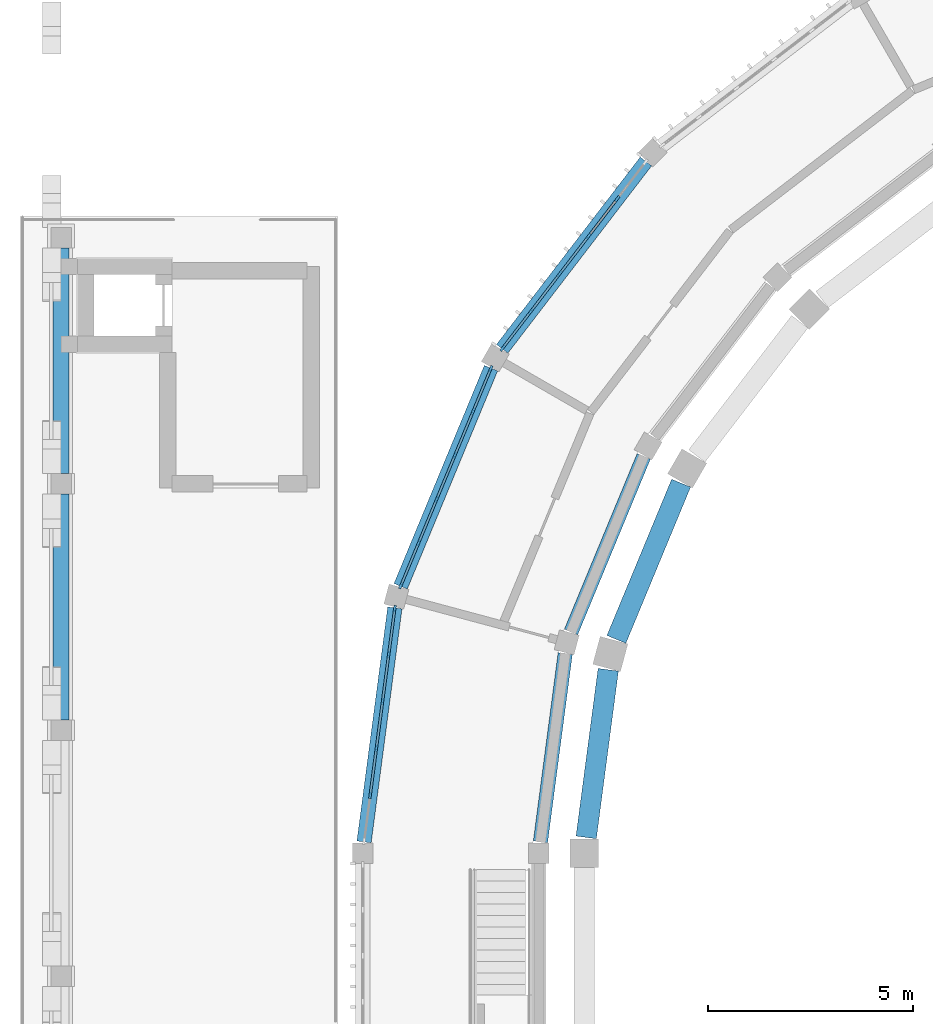
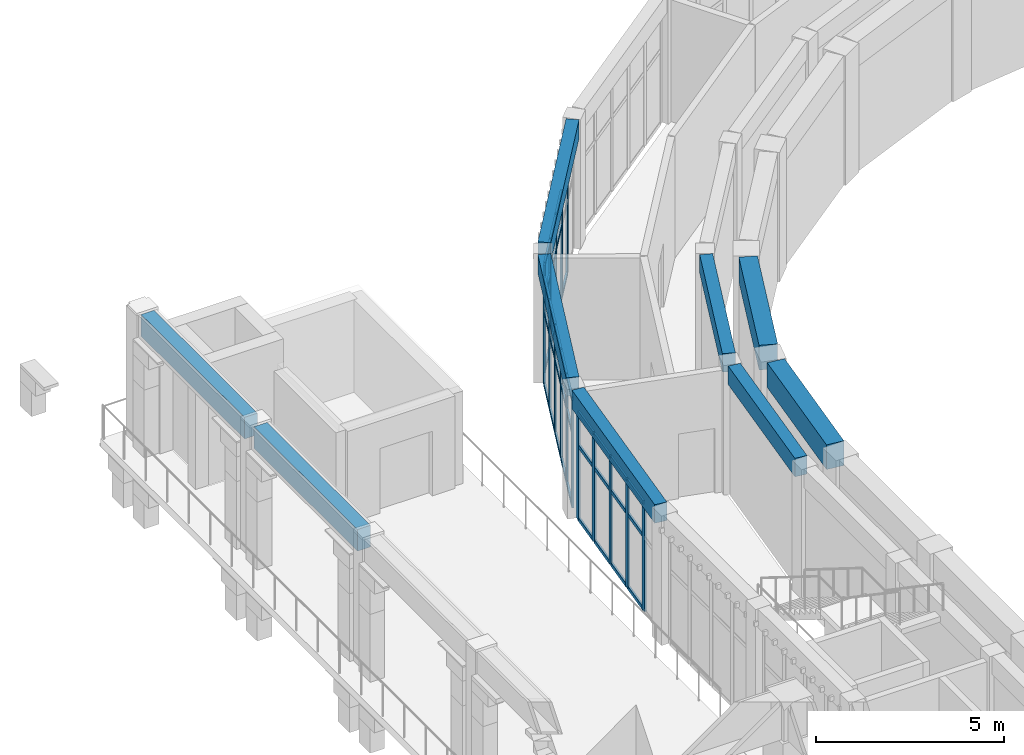
# One storey, part 18 of 99: 53 members, 9 beams, 3 elements without a shape of their own.
"""IFC4 building model written with IfcOpenShell, lengths in metres."""

from ifc_helpers import new_model, si_unit, direction, frame, origin, origin_2d, place, context, subcontext, project, spatial, rectangle, extrude, material, layer, layer_set, material_profile, profile_set, type_object, element, aggregate, save


model = new_model("IFC4")

# Units and contexts
model_context = context("Model", 3, precision=1e-05, world=origin(), true_north=direction((0.0, 1.0)))
body_context = subcontext(model_context, "Body", "Model", "MODEL_VIEW")
ifc_project = project(units=[si_unit("LENGTHUNIT", "METRE"), si_unit("AREAUNIT", "SQUARE_METRE"), si_unit("VOLUMEUNIT", "CUBIC_METRE"), si_unit("PLANEANGLEUNIT", "RADIAN"), si_unit("MASSUNIT", "GRAM", prefix="KILO")], contexts=[model_context])

# Site, building, storey
site_placement = place(None, origin())
site = spatial("IfcSite", under=ifc_project, at=site_placement, CompositionType="ELEMENT")
building_placement = place(site_placement, origin())
building = spatial("IfcBuilding", under=site, at=building_placement, Name="Wasatch Bagh Community Centre", CompositionType="ELEMENT")
storey_placement = place(building_placement, frame((0.0, 0.0, 4.199951171875)))
storey = spatial("IfcBuildingStorey", under=building, at=storey_placement, Name="L01", CompositionType="ELEMENT", Elevation=4.199951171875)

# Beams
ifc_material_1 = material(Name="Concrete C35", Category="concrete")
ifc_material_profile_1 = material_profile(ifc_material_1, rectangle(XDim=0.39990234375, YDim=0.699951171875, at=origin_2d()), Name="RC 400x700")
ifc_profile_set_1 = profile_set([ifc_material_profile_1], Name="Concrete C35")
beam_type_1 = type_object("IfcBeamType", Name="CT-B1", PredefinedType="BEAM", material=ifc_profile_set_1)
for number, where, z_axis, x_axis, name in (
    (1, (4.5, 68.25, 3.85009765625), (0.0, 1.0, 0.0), (-1.0, 0.0, 0.0), "CT-B1 terrace arcade spandrel beam 5"),
    (2, (4.5, 74.25, 3.85009765625), (0.0, 1.0, 0.0), (-1.0, 0.0, 0.0), "CT-B1 terrace arcade spandrel beam 6"),
):
    element("IfcBeam", number, at=place(storey_placement, frame(where, z_axis=z_axis, x_axis=x_axis)), inside=storey, type_object=beam_type_1, Name=name, PredefinedType="BEAM", context=body_context, shape_type="SweptSolid", body=[
        extrude(rectangle(XDim=0.39990234375, YDim=0.699951171875, at=origin_2d()), origin(), (0.0, 0.0, 1.0), 5.5),
    ])

# Curtain wall, members
ifc_material_2 = material(Name="Aluminium curtain wall frame with low-iron insulated glass", Category="aluminium")
ifc_layer = layer(ifc_material_2, 0.14990234375)
ifc_layer_set = layer_set([ifc_layer], Name="Aluminium curtain wall frame with low-iron insulated glass")
curtain_wall_type = type_object("IfcCurtainWallType", Name="Drum curtain wall DR-CW2", PredefinedType="NOTDEFINED", material=ifc_layer_set)
curtain_wall_1_placement = place(storey_placement, origin())
curtain_wall_1 = element("IfcCurtainWall", 3, at=curtain_wall_1_placement, inside=storey, type_object=curtain_wall_type, Name="Curtain wall DR-CW2 28", PredefinedType="NOTDEFINED")
ifc_material_3 = material(Name="Aluminium curtain wall frame", Category="aluminium")
ifc_material_profile_2 = material_profile(ifc_material_3, rectangle(XDim=0.06005859375, YDim=0.159912109375, at=origin_2d()), Name="Drum mullion DR-CW2")
ifc_profile_set_2 = profile_set([ifc_material_profile_2], Name="Aluminium curtain wall frame")
member_type_1 = type_object("IfcMemberType", Name="Drum mullion DR-CW2", PredefinedType="MULLION", material=ifc_profile_set_2)
member_1_placement = place(storey_placement, frame((18.059814453125, 80.951416015625, 0.0), z_axis=(0.0, 0.0, 1.0), x_axis=(0.793353340196, -0.608761429133, 0.0)))
member_1 = element("IfcMember", 4, at=member_1_placement, type_object=member_type_1, Name="DR-CW2 mullion 2", PredefinedType="MULLION", context=body_context, shape_type="SweptSolid", body=[
    extrude(rectangle(XDim=0.06005859375, YDim=0.159912109375, at=origin_2d()), origin(), (0.0, 0.0, 1.0), 3.5),
])
member_2_placement = place(storey_placement, frame((17.356201171875, 80.034423828125, 0.0), z_axis=(0.0, 0.0, 1.0), x_axis=(0.793353340196, -0.608761429133, 0.0)))
member_2 = element("IfcMember", 5, at=member_2_placement, type_object=member_type_1, Name="DR-CW2 mullion 3", PredefinedType="MULLION", context=body_context, shape_type="SweptSolid", body=[
    extrude(rectangle(XDim=0.06005859375, YDim=0.159912109375, at=origin_2d()), origin(), (0.0, 0.0, 1.0), 3.5),
])
member_3_placement = place(storey_placement, frame((16.652587890625, 79.1171875, 0.0), z_axis=(0.0, 0.0, 1.0), x_axis=(0.793353340196, -0.608761429133, 0.0)))
member_3 = element("IfcMember", 6, at=member_3_placement, type_object=member_type_1, Name="DR-CW2 mullion 4", PredefinedType="MULLION", context=body_context, shape_type="SweptSolid", body=[
    extrude(rectangle(XDim=0.06005859375, YDim=0.159912109375, at=origin_2d()), origin(), (0.0, 0.0, 1.0), 3.5),
])
member_4_placement = place(storey_placement, frame((15.948974609375, 78.2001953125, 0.0), z_axis=(0.0, 0.0, 1.0), x_axis=(0.793353340196, -0.608761429133, 0.0)))
member_4 = element("IfcMember", 7, at=member_4_placement, type_object=member_type_1, Name="DR-CW2 mullion 5", PredefinedType="MULLION", context=body_context, shape_type="SweptSolid", body=[
    extrude(rectangle(XDim=0.06005859375, YDim=0.159912109375, at=origin_2d()), origin(), (0.0, 0.0, 1.0), 3.5),
])
member_5_placement = place(storey_placement, frame((15.263671875, 77.30712890625, 0.0), z_axis=(0.0, 0.0, 1.0), x_axis=(0.793353340196, -0.608761429133, 0.0)))
member_5 = element("IfcMember", 8, at=member_5_placement, type_object=member_type_1, Name="DR-CW2 mullion 6", PredefinedType="MULLION", context=body_context, shape_type="SweptSolid", body=[
    extrude(rectangle(XDim=0.06005859375, YDim=0.159912109375, at=origin_2d()), origin(), (0.0, 0.0, 1.0), 3.5),
])

curtain_wall_2_placement = place(storey_placement, origin())
curtain_wall_2 = element("IfcCurtainWall", 9, at=curtain_wall_2_placement, inside=storey, type_object=curtain_wall_type, Name="Curtain wall DR-CW2 29", PredefinedType="NOTDEFINED")
member_6_placement = place(storey_placement, frame((14.9736328125, 76.8046875, 0.0), z_axis=(0.0, 0.0, 1.0), x_axis=(0.923879532451, -0.38268343251, 0.0)))
member_6 = element("IfcMember", 10, at=member_6_placement, type_object=member_type_1, Name="DR-CW2 mullion 1", PredefinedType="MULLION", context=body_context, shape_type="SweptSolid", body=[
    extrude(rectangle(XDim=0.06005859375, YDim=0.159912109375, at=origin_2d()), origin(), (0.0, 0.0, 1.0), 3.5),
])
member_7_placement = place(storey_placement, frame((14.542724609375, 75.7646484375, 0.0), z_axis=(0.0, 0.0, 1.0), x_axis=(0.923879532451, -0.38268343251, 0.0)))
member_7 = element("IfcMember", 11, at=member_7_placement, type_object=member_type_1, Name="DR-CW2 mullion 2", PredefinedType="MULLION", context=body_context, shape_type="SweptSolid", body=[
    extrude(rectangle(XDim=0.06005859375, YDim=0.159912109375, at=origin_2d()), origin(), (0.0, 0.0, 1.0), 3.5),
])
member_8_placement = place(storey_placement, frame((14.100341796875, 74.69677734375, 0.0), z_axis=(0.0, 0.0, 1.0), x_axis=(0.923879532451, -0.38268343251, 0.0)))
member_8 = element("IfcMember", 12, at=member_8_placement, type_object=member_type_1, Name="DR-CW2 mullion 3", PredefinedType="MULLION", context=body_context, shape_type="SweptSolid", body=[
    extrude(rectangle(XDim=0.06005859375, YDim=0.159912109375, at=origin_2d()), origin(), (0.0, 0.0, 1.0), 3.5),
])
member_9_placement = place(storey_placement, frame((13.657958984375, 73.62890625, 0.0), z_axis=(0.0, 0.0, 1.0), x_axis=(0.923879532451, -0.38268343251, 0.0)))
member_9 = element("IfcMember", 13, at=member_9_placement, type_object=member_type_1, Name="DR-CW2 mullion 4", PredefinedType="MULLION", context=body_context, shape_type="SweptSolid", body=[
    extrude(rectangle(XDim=0.06005859375, YDim=0.159912109375, at=origin_2d()), origin(), (0.0, 0.0, 1.0), 3.5),
])
member_10_placement = place(storey_placement, frame((13.215576171875, 72.560791015625, 0.0), z_axis=(0.0, 0.0, 1.0), x_axis=(0.923879532451, -0.38268343251, 0.0)))
member_10 = element("IfcMember", 14, at=member_10_placement, type_object=member_type_1, Name="DR-CW2 mullion 5", PredefinedType="MULLION", context=body_context, shape_type="SweptSolid", body=[
    extrude(rectangle(XDim=0.06005859375, YDim=0.159912109375, at=origin_2d()), origin(), (0.0, 0.0, 1.0), 3.5),
])
member_11_placement = place(storey_placement, frame((12.784912109375, 71.520751953125, 0.0), z_axis=(0.0, 0.0, 1.0), x_axis=(0.923879532451, -0.38268343251, 0.0)))
member_11 = element("IfcMember", 15, at=member_11_placement, type_object=member_type_1, Name="DR-CW2 mullion 6", PredefinedType="MULLION", context=body_context, shape_type="SweptSolid", body=[
    extrude(rectangle(XDim=0.06005859375, YDim=0.159912109375, at=origin_2d()), origin(), (0.0, 0.0, 1.0), 3.5),
])

curtain_wall_3_placement = place(storey_placement, origin())
curtain_wall_3 = element("IfcCurtainWall", 16, at=curtain_wall_3_placement, inside=storey, type_object=curtain_wall_type, Name="Curtain wall DR-CW2 30", PredefinedType="NOTDEFINED")
member_12_placement = place(storey_placement, frame((12.634765625, 70.96044921875, 0.0), z_axis=(0.0, 0.0, 1.0), x_axis=(0.991444861378, -0.130526192185, 0.0)))
member_12 = element("IfcMember", 17, at=member_12_placement, type_object=member_type_1, Name="DR-CW2 mullion 1", PredefinedType="MULLION", context=body_context, shape_type="SweptSolid", body=[
    extrude(rectangle(XDim=0.06005859375, YDim=0.159912109375, at=origin_2d()), origin(), (0.0, 0.0, 1.0), 3.5),
])
member_13_placement = place(storey_placement, frame((12.48779296875, 69.84423828125, 0.0), z_axis=(0.0, 0.0, 1.0), x_axis=(0.991444861378, -0.130526192185, 0.0)))
member_13 = element("IfcMember", 18, at=member_13_placement, type_object=member_type_1, Name="DR-CW2 mullion 2", PredefinedType="MULLION", context=body_context, shape_type="SweptSolid", body=[
    extrude(rectangle(XDim=0.06005859375, YDim=0.159912109375, at=origin_2d()), origin(), (0.0, 0.0, 1.0), 3.5),
])
member_14_placement = place(storey_placement, frame((12.3369140625, 68.6982421875, 0.0), z_axis=(0.0, 0.0, 1.0), x_axis=(0.991444861378, -0.130526192185, 0.0)))
member_14 = element("IfcMember", 19, at=member_14_placement, type_object=member_type_1, Name="DR-CW2 mullion 3", PredefinedType="MULLION", context=body_context, shape_type="SweptSolid", body=[
    extrude(rectangle(XDim=0.06005859375, YDim=0.159912109375, at=origin_2d()), origin(), (0.0, 0.0, 1.0), 3.5),
])
member_15_placement = place(storey_placement, frame((12.18603515625, 67.55224609375, 0.0), z_axis=(0.0, 0.0, 1.0), x_axis=(0.991444861378, -0.130526192185, 0.0)))
member_15 = element("IfcMember", 20, at=member_15_placement, type_object=member_type_1, Name="DR-CW2 mullion 4", PredefinedType="MULLION", context=body_context, shape_type="SweptSolid", body=[
    extrude(rectangle(XDim=0.06005859375, YDim=0.159912109375, at=origin_2d()), origin(), (0.0, 0.0, 1.0), 3.5),
])
member_16_placement = place(storey_placement, frame((12.03515625, 66.40625, 0.0), z_axis=(0.0, 0.0, 1.0), x_axis=(0.991444861378, -0.130526192185, 0.0)))
member_16 = element("IfcMember", 21, at=member_16_placement, type_object=member_type_1, Name="DR-CW2 mullion 5", PredefinedType="MULLION", context=body_context, shape_type="SweptSolid", body=[
    extrude(rectangle(XDim=0.06005859375, YDim=0.159912109375, at=origin_2d()), origin(), (0.0, 0.0, 1.0), 3.5),
])

# Beams
ifc_material_profile_3 = material_profile(ifc_material_1, rectangle(XDim=0.35009765625, YDim=0.60009765625, at=origin_2d()), Name="RC 350x600")
ifc_profile_set_3 = profile_set([ifc_material_profile_3], Name="Concrete C35")
beam_type_2 = type_object("IfcBeamType", Name="Drum ring beam RC 350x600", PredefinedType="BEAM", material=ifc_profile_set_3)
beam_1_placement = place(storey_placement, frame((18.703857421875, 74.67041015625, 3.900146484375), z_axis=(-0.382671540178, -0.923884458327, 0.0), x_axis=(0.923884458327, -0.382671540178, 0.0)))
element("IfcBeam", 22, at=beam_1_placement, inside=storey, type_object=beam_type_2, Name="Ring beam 8.4 DI-N10-DI-N11", PredefinedType="BEAM", context=body_context, shape_type="SweptSolid", body=[
    extrude(rectangle(XDim=0.35009765625, YDim=0.60009765625, at=origin_2d()), origin(), (0.0, 0.0, 1.0), 4.630615234375),
])
beam_2_placement = place(storey_placement, frame((16.790283203125, 69.8642578125, 3.900146484375), z_axis=(-0.130495429401, -0.99144891089, 0.0), x_axis=(0.99144891089, -0.130495429401, 0.0)))
element("IfcBeam", 23, at=beam_2_placement, inside=storey, type_object=beam_type_2, Name="Ring beam 8.4 DI-N11-DI-W7", PredefinedType="BEAM", context=body_context, shape_type="SweptSolid", body=[
    extrude(rectangle(XDim=0.35009765625, YDim=0.60009765625, at=origin_2d()), origin(), (0.0, 0.0, 1.0), 4.63037109375),
])
beam_3_placement = place(storey_placement, frame((18.755615234375, 81.85791015625, 3.900146484375), z_axis=(-0.608756673514, -0.793356989288, 0.0), x_axis=(0.793356989288, -0.608756673514, 0.0)))
element("IfcBeam", 24, at=beam_3_placement, inside=storey, type_object=beam_type_2, Name="Ring beam 8.4 DO-N9-DO-N10", PredefinedType="BEAM", context=body_context, shape_type="SweptSolid", body=[
    extrude(rectangle(XDim=0.35009765625, YDim=0.60009765625, at=origin_2d()), origin(), (0.0, 0.0, 1.0), 5.7529296875),
])
beam_4_placement = place(storey_placement, frame((14.97998046875, 76.8203125, 3.900146484375), z_axis=(-0.38268910224, -0.923877183952, 0.0), x_axis=(0.923877183952, -0.38268910224, 0.0)))
element("IfcBeam", 25, at=beam_4_placement, inside=storey, type_object=beam_type_2, Name="Ring beam 8.4 DO-N10-DO-N11", PredefinedType="BEAM", context=body_context, shape_type="SweptSolid", body=[
    extrude(rectangle(XDim=0.35009765625, YDim=0.60009765625, at=origin_2d()), origin(), (0.0, 0.0, 1.0), 5.753173828125),
])
beam_5_placement = place(storey_placement, frame((12.636962890625, 70.97705078125, 3.900146484375), z_axis=(-0.130540139759, -0.991443025046, 0.0), x_axis=(0.991443025046, -0.130540139759, 0.0)))
element("IfcBeam", 26, at=beam_5_placement, inside=storey, type_object=beam_type_2, Name="Ring beam 8.4 DO-N11-DO-W7", PredefinedType="BEAM", context=body_context, shape_type="SweptSolid", body=[
    extrude(rectangle(XDim=0.35009765625, YDim=0.60009765625, at=origin_2d()), origin(), (0.0, 0.0, 1.0), 5.7529296875),
])

# Member
ifc_material_profile_4 = material_profile(ifc_material_3, rectangle(XDim=0.06005859375, YDim=0.1201171875, at=origin_2d()), Name="Drum transom DR-CW2")
ifc_profile_set_4 = profile_set([ifc_material_profile_4], Name="Aluminium curtain wall frame")
member_type_2 = type_object("IfcMemberType", Name="Drum transom DR-CW2", PredefinedType="USERDEFINED", material=ifc_profile_set_4)
member_17_placement = place(storey_placement, frame((18.041748046875, 80.927490234375, 0.030029296875), z_axis=(-0.608838347721, -0.793294312563, 0.0), x_axis=(0.793294312563, -0.608838347721, 0.0)))
member_17 = element("IfcMember", 27, at=member_17_placement, type_object=member_type_2, Name="DR-CW2 transom 2.1", ObjectType="TRANSOM", PredefinedType="USERDEFINED", context=body_context, shape_type="SweptSolid", body=[
    extrude(rectangle(XDim=0.06005859375, YDim=0.1201171875, at=origin_2d()), origin(), (0.0, 0.0, 1.0), 1.095947265625),
])

member_18_placement = place(storey_placement, frame((17.337890625, 80.010498046875, 0.030029296875), z_axis=(-0.608698124672, -0.793401911405, 0.0), x_axis=(0.793401911405, -0.608698124672, 0.0)))
member_18 = element("IfcMember", 28, at=member_18_placement, type_object=member_type_2, Name="DR-CW2 transom 3.1", ObjectType="TRANSOM", PredefinedType="USERDEFINED", context=body_context, shape_type="SweptSolid", body=[
    extrude(rectangle(XDim=0.06005859375, YDim=0.1201171875, at=origin_2d()), origin(), (0.0, 0.0, 1.0), 1.095703125),
])

member_19_placement = place(storey_placement, frame((17.337890625, 80.010498046875, 2.400146484375), z_axis=(-0.608698124672, -0.793401911405, 0.0), x_axis=(0.793401911405, -0.608698124672, 0.0)))
member_19 = element("IfcMember", 29, at=member_19_placement, type_object=member_type_2, Name="DR-CW2 transom 3.2", ObjectType="TRANSOM", PredefinedType="USERDEFINED", context=body_context, shape_type="SweptSolid", body=[
    extrude(rectangle(XDim=0.06005859375, YDim=0.1201171875, at=origin_2d()), origin(), (0.0, 0.0, 1.0), 1.095703125),
])

member_20_placement = place(storey_placement, frame((17.337890625, 80.010498046875, 3.469970703125), z_axis=(-0.608698124672, -0.793401911405, 0.0), x_axis=(0.793401911405, -0.608698124672, 0.0)))
member_20 = element("IfcMember", 30, at=member_20_placement, type_object=member_type_2, Name="DR-CW2 transom 3.3", ObjectType="TRANSOM", PredefinedType="USERDEFINED", context=body_context, shape_type="SweptSolid", body=[
    extrude(rectangle(XDim=0.06005859375, YDim=0.1201171875, at=origin_2d()), origin(), (0.0, 0.0, 1.0), 1.095703125),
])

member_21_placement = place(storey_placement, frame((16.63427734375, 79.093505859375, 0.030029296875), z_axis=(-0.608698124672, -0.793401911405, 0.0), x_axis=(0.793401911405, -0.608698124672, 0.0)))
member_21 = element("IfcMember", 31, at=member_21_placement, type_object=member_type_2, Name="DR-CW2 transom 4.1", ObjectType="TRANSOM", PredefinedType="USERDEFINED", context=body_context, shape_type="SweptSolid", body=[
    extrude(rectangle(XDim=0.06005859375, YDim=0.1201171875, at=origin_2d()), origin(), (0.0, 0.0, 1.0), 1.095703125),
])

member_22_placement = place(storey_placement, frame((16.63427734375, 79.093505859375, 2.400146484375), z_axis=(-0.608698124672, -0.793401911405, 0.0), x_axis=(0.793401911405, -0.608698124672, 0.0)))
member_22 = element("IfcMember", 32, at=member_22_placement, type_object=member_type_2, Name="DR-CW2 transom 4.2", ObjectType="TRANSOM", PredefinedType="USERDEFINED", context=body_context, shape_type="SweptSolid", body=[
    extrude(rectangle(XDim=0.06005859375, YDim=0.1201171875, at=origin_2d()), origin(), (0.0, 0.0, 1.0), 1.095703125),
])

member_23_placement = place(storey_placement, frame((16.63427734375, 79.093505859375, 3.469970703125), z_axis=(-0.608698124672, -0.793401911405, 0.0), x_axis=(0.793401911405, -0.608698124672, 0.0)))
member_23 = element("IfcMember", 33, at=member_23_placement, type_object=member_type_2, Name="DR-CW2 transom 4.3", ObjectType="TRANSOM", PredefinedType="USERDEFINED", context=body_context, shape_type="SweptSolid", body=[
    extrude(rectangle(XDim=0.06005859375, YDim=0.1201171875, at=origin_2d()), origin(), (0.0, 0.0, 1.0), 1.095703125),
])

member_24_placement = place(storey_placement, frame((15.9306640625, 78.176513671875, 0.030029296875), z_axis=(-0.608758447006, -0.793355628453, 0.0), x_axis=(0.793355628453, -0.608758447006, 0.0)))
member_24 = element("IfcMember", 34, at=member_24_placement, type_object=member_type_2, Name="DR-CW2 transom 5.1", ObjectType="TRANSOM", PredefinedType="USERDEFINED", context=body_context, shape_type="SweptSolid", body=[
    extrude(rectangle(XDim=0.06005859375, YDim=0.1201171875, at=origin_2d()), origin(), (0.0, 0.0, 1.0), 1.06591796875),
])

member_25_placement = place(storey_placement, frame((15.9306640625, 78.176513671875, 2.400146484375), z_axis=(-0.608758447006, -0.793355628453, 0.0), x_axis=(0.793355628453, -0.608758447006, 0.0)))
member_25 = element("IfcMember", 35, at=member_25_placement, type_object=member_type_2, Name="DR-CW2 transom 5.2", ObjectType="TRANSOM", PredefinedType="USERDEFINED", context=body_context, shape_type="SweptSolid", body=[
    extrude(rectangle(XDim=0.06005859375, YDim=0.1201171875, at=origin_2d()), origin(), (0.0, 0.0, 1.0), 1.06591796875),
])

member_26_placement = place(storey_placement, frame((15.9306640625, 78.176513671875, 3.469970703125), z_axis=(-0.608758447006, -0.793355628453, 0.0), x_axis=(0.793355628453, -0.608758447006, 0.0)))
member_26 = element("IfcMember", 36, at=member_26_placement, type_object=member_type_2, Name="DR-CW2 transom 5.3", ObjectType="TRANSOM", PredefinedType="USERDEFINED", context=body_context, shape_type="SweptSolid", body=[
    extrude(rectangle(XDim=0.06005859375, YDim=0.1201171875, at=origin_2d()), origin(), (0.0, 0.0, 1.0), 1.06591796875),
])

aggregate(curtain_wall_1, [member_1, member_2, member_3, member_4, member_5, member_17, member_18, member_19, member_20, member_21, member_22, member_23, member_24, member_25, member_26])

member_27_placement = place(storey_placement, frame((14.962158203125, 76.777099609375, 0.030029296875), z_axis=(-0.38269564791, -0.923874472572, 0.0), x_axis=(0.923874472572, -0.38269564791, 0.0)))
member_27 = element("IfcMember", 37, at=member_27_placement, type_object=member_type_2, Name="DR-CW2 transom 1.1", ObjectType="TRANSOM", PredefinedType="USERDEFINED", context=body_context, shape_type="SweptSolid", body=[
    extrude(rectangle(XDim=0.06005859375, YDim=0.1201171875, at=origin_2d()), origin(), (0.0, 0.0, 1.0), 1.06591796875),
])

member_28_placement = place(storey_placement, frame((14.962158203125, 76.777099609375, 2.400146484375), z_axis=(-0.38269564791, -0.923874472572, 0.0), x_axis=(0.923874472572, -0.38269564791, 0.0)))
member_28 = element("IfcMember", 38, at=member_28_placement, type_object=member_type_2, Name="DR-CW2 transom 1.2", ObjectType="TRANSOM", PredefinedType="USERDEFINED", context=body_context, shape_type="SweptSolid", body=[
    extrude(rectangle(XDim=0.06005859375, YDim=0.1201171875, at=origin_2d()), origin(), (0.0, 0.0, 1.0), 1.06591796875),
])

member_29_placement = place(storey_placement, frame((14.962158203125, 76.777099609375, 3.469970703125), z_axis=(-0.38269564791, -0.923874472572, 0.0), x_axis=(0.923874472572, -0.38269564791, 0.0)))
member_29 = element("IfcMember", 39, at=member_29_placement, type_object=member_type_2, Name="DR-CW2 transom 1.3", ObjectType="TRANSOM", PredefinedType="USERDEFINED", context=body_context, shape_type="SweptSolid", body=[
    extrude(rectangle(XDim=0.06005859375, YDim=0.1201171875, at=origin_2d()), origin(), (0.0, 0.0, 1.0), 1.06591796875),
])

member_30_placement = place(storey_placement, frame((14.53125, 75.73681640625, 0.030029296875), z_axis=(-0.382732178779, -0.923859339579, 0.0), x_axis=(0.923859339579, -0.382732178779, 0.0)))
member_30 = element("IfcMember", 40, at=member_30_placement, type_object=member_type_2, Name="DR-CW2 transom 2.1", ObjectType="TRANSOM", PredefinedType="USERDEFINED", context=body_context, shape_type="SweptSolid", body=[
    extrude(rectangle(XDim=0.06005859375, YDim=0.1201171875, at=origin_2d()), origin(), (0.0, 0.0, 1.0), 1.095947265625),
])

member_31_placement = place(storey_placement, frame((14.53125, 75.73681640625, 2.400146484375), z_axis=(-0.382732178779, -0.923859339579, 0.0), x_axis=(0.923859339579, -0.382732178779, 0.0)))
member_31 = element("IfcMember", 41, at=member_31_placement, type_object=member_type_2, Name="DR-CW2 transom 2.2", ObjectType="TRANSOM", PredefinedType="USERDEFINED", context=body_context, shape_type="SweptSolid", body=[
    extrude(rectangle(XDim=0.06005859375, YDim=0.1201171875, at=origin_2d()), origin(), (0.0, 0.0, 1.0), 1.095947265625),
])

member_32_placement = place(storey_placement, frame((14.53125, 75.73681640625, 3.469970703125), z_axis=(-0.382732178779, -0.923859339579, 0.0), x_axis=(0.923859339579, -0.382732178779, 0.0)))
member_32 = element("IfcMember", 42, at=member_32_placement, type_object=member_type_2, Name="DR-CW2 transom 2.3", ObjectType="TRANSOM", PredefinedType="USERDEFINED", context=body_context, shape_type="SweptSolid", body=[
    extrude(rectangle(XDim=0.06005859375, YDim=0.1201171875, at=origin_2d()), origin(), (0.0, 0.0, 1.0), 1.095947265625),
])

member_33_placement = place(storey_placement, frame((14.0888671875, 74.6689453125, 0.030029296875), z_axis=(-0.382732178779, -0.923859339579, 0.0), x_axis=(0.923859339579, -0.382732178779, 0.0)))
member_33 = element("IfcMember", 43, at=member_33_placement, type_object=member_type_2, Name="DR-CW2 transom 3.1", ObjectType="TRANSOM", PredefinedType="USERDEFINED", context=body_context, shape_type="SweptSolid", body=[
    extrude(rectangle(XDim=0.06005859375, YDim=0.1201171875, at=origin_2d()), origin(), (0.0, 0.0, 1.0), 1.095947265625),
])

member_34_placement = place(storey_placement, frame((14.0888671875, 74.6689453125, 2.400146484375), z_axis=(-0.382732178779, -0.923859339579, 0.0), x_axis=(0.923859339579, -0.382732178779, 0.0)))
member_34 = element("IfcMember", 44, at=member_34_placement, type_object=member_type_2, Name="DR-CW2 transom 3.2", ObjectType="TRANSOM", PredefinedType="USERDEFINED", context=body_context, shape_type="SweptSolid", body=[
    extrude(rectangle(XDim=0.06005859375, YDim=0.1201171875, at=origin_2d()), origin(), (0.0, 0.0, 1.0), 1.095947265625),
])

member_35_placement = place(storey_placement, frame((14.0888671875, 74.6689453125, 3.469970703125), z_axis=(-0.382732178779, -0.923859339579, 0.0), x_axis=(0.923859339579, -0.382732178779, 0.0)))
member_35 = element("IfcMember", 45, at=member_35_placement, type_object=member_type_2, Name="DR-CW2 transom 3.3", ObjectType="TRANSOM", PredefinedType="USERDEFINED", context=body_context, shape_type="SweptSolid", body=[
    extrude(rectangle(XDim=0.06005859375, YDim=0.1201171875, at=origin_2d()), origin(), (0.0, 0.0, 1.0), 1.095947265625),
])

member_36_placement = place(storey_placement, frame((13.646484375, 73.60107421875, 0.030029296875), z_axis=(-0.382732178779, -0.923859339579, 0.0), x_axis=(0.923859339579, -0.382732178779, 0.0)))
member_36 = element("IfcMember", 46, at=member_36_placement, type_object=member_type_2, Name="DR-CW2 transom 4.1", ObjectType="TRANSOM", PredefinedType="USERDEFINED", context=body_context, shape_type="SweptSolid", body=[
    extrude(rectangle(XDim=0.06005859375, YDim=0.1201171875, at=origin_2d()), origin(), (0.0, 0.0, 1.0), 1.095947265625),
])

member_37_placement = place(storey_placement, frame((13.646484375, 73.60107421875, 2.400146484375), z_axis=(-0.382732178779, -0.923859339579, 0.0), x_axis=(0.923859339579, -0.382732178779, 0.0)))
member_37 = element("IfcMember", 47, at=member_37_placement, type_object=member_type_2, Name="DR-CW2 transom 4.2", ObjectType="TRANSOM", PredefinedType="USERDEFINED", context=body_context, shape_type="SweptSolid", body=[
    extrude(rectangle(XDim=0.06005859375, YDim=0.1201171875, at=origin_2d()), origin(), (0.0, 0.0, 1.0), 1.095947265625),
])

member_38_placement = place(storey_placement, frame((13.646484375, 73.60107421875, 3.469970703125), z_axis=(-0.382732178779, -0.923859339579, 0.0), x_axis=(0.923859339579, -0.382732178779, 0.0)))
member_38 = element("IfcMember", 48, at=member_38_placement, type_object=member_type_2, Name="DR-CW2 transom 4.3", ObjectType="TRANSOM", PredefinedType="USERDEFINED", context=body_context, shape_type="SweptSolid", body=[
    extrude(rectangle(XDim=0.06005859375, YDim=0.1201171875, at=origin_2d()), origin(), (0.0, 0.0, 1.0), 1.095947265625),
])

member_39_placement = place(storey_placement, frame((13.2041015625, 72.533203125, 0.030029296875), z_axis=(-0.382500141907, -0.923955432606, 0.0), x_axis=(0.923955432606, -0.382500141907, 0.0)))
member_39 = element("IfcMember", 49, at=member_39_placement, type_object=member_type_2, Name="DR-CW2 transom 5.1", ObjectType="TRANSOM", PredefinedType="USERDEFINED", context=body_context, shape_type="SweptSolid", body=[
    extrude(rectangle(XDim=0.06005859375, YDim=0.1201171875, at=origin_2d()), origin(), (0.0, 0.0, 1.0), 1.06591796875),
])

member_40_placement = place(storey_placement, frame((13.2041015625, 72.533203125, 2.400146484375), z_axis=(-0.382500141907, -0.923955432606, 0.0), x_axis=(0.923955432606, -0.382500141907, 0.0)))
member_40 = element("IfcMember", 50, at=member_40_placement, type_object=member_type_2, Name="DR-CW2 transom 5.2", ObjectType="TRANSOM", PredefinedType="USERDEFINED", context=body_context, shape_type="SweptSolid", body=[
    extrude(rectangle(XDim=0.06005859375, YDim=0.1201171875, at=origin_2d()), origin(), (0.0, 0.0, 1.0), 1.06591796875),
])

member_41_placement = place(storey_placement, frame((13.2041015625, 72.533203125, 3.469970703125), z_axis=(-0.382500141907, -0.923955432606, 0.0), x_axis=(0.923955432606, -0.382500141907, 0.0)))
member_41 = element("IfcMember", 51, at=member_41_placement, type_object=member_type_2, Name="DR-CW2 transom 5.3", ObjectType="TRANSOM", PredefinedType="USERDEFINED", context=body_context, shape_type="SweptSolid", body=[
    extrude(rectangle(XDim=0.06005859375, YDim=0.1201171875, at=origin_2d()), origin(), (0.0, 0.0, 1.0), 1.06591796875),
])

aggregate(curtain_wall_2, [member_6, member_7, member_8, member_9, member_10, member_11, member_27, member_28, member_29, member_30, member_31, member_32, member_33, member_34, member_35, member_36, member_37, member_38, member_39, member_40, member_41])

member_42_placement = place(storey_placement, frame((12.630859375, 70.9306640625, 0.030029296875), z_axis=(-0.130573025845, -0.991438694485, 0.0), x_axis=(0.991438694485, -0.130573025845, 0.0)))
member_42 = element("IfcMember", 52, at=member_42_placement, type_object=member_type_2, Name="DR-CW2 transom 1.1", ObjectType="TRANSOM", PredefinedType="USERDEFINED", context=body_context, shape_type="SweptSolid", body=[
    extrude(rectangle(XDim=0.06005859375, YDim=0.1201171875, at=origin_2d()), origin(), (0.0, 0.0, 1.0), 1.065673828125),
])

member_43_placement = place(storey_placement, frame((12.630859375, 70.9306640625, 2.400146484375), z_axis=(-0.130573025845, -0.991438694485, 0.0), x_axis=(0.991438694485, -0.130573025845, 0.0)))
member_43 = element("IfcMember", 53, at=member_43_placement, type_object=member_type_2, Name="DR-CW2 transom 1.2", ObjectType="TRANSOM", PredefinedType="USERDEFINED", context=body_context, shape_type="SweptSolid", body=[
    extrude(rectangle(XDim=0.06005859375, YDim=0.1201171875, at=origin_2d()), origin(), (0.0, 0.0, 1.0), 1.065673828125),
])

member_44_placement = place(storey_placement, frame((12.630859375, 70.9306640625, 3.469970703125), z_axis=(-0.130573025845, -0.991438694485, 0.0), x_axis=(0.991438694485, -0.130573025845, 0.0)))
member_44 = element("IfcMember", 54, at=member_44_placement, type_object=member_type_2, Name="DR-CW2 transom 1.3", ObjectType="TRANSOM", PredefinedType="USERDEFINED", context=body_context, shape_type="SweptSolid", body=[
    extrude(rectangle(XDim=0.06005859375, YDim=0.1201171875, at=origin_2d()), origin(), (0.0, 0.0, 1.0), 1.065673828125),
])

member_45_placement = place(storey_placement, frame((12.48388671875, 69.814453125, 0.030029296875), z_axis=(-0.130558250608, -0.99144064028, 0.0), x_axis=(0.99144064028, -0.130558250608, 0.0)))
member_45 = element("IfcMember", 55, at=member_45_placement, type_object=member_type_2, Name="DR-CW2 transom 2.1", ObjectType="TRANSOM", PredefinedType="USERDEFINED", context=body_context, shape_type="SweptSolid", body=[
    extrude(rectangle(XDim=0.06005859375, YDim=0.1201171875, at=origin_2d()), origin(), (0.0, 0.0, 1.0), 1.095703125),
])

member_46_placement = place(storey_placement, frame((12.48388671875, 69.814453125, 2.400146484375), z_axis=(-0.130558250608, -0.99144064028, 0.0), x_axis=(0.99144064028, -0.130558250608, 0.0)))
member_46 = element("IfcMember", 56, at=member_46_placement, type_object=member_type_2, Name="DR-CW2 transom 2.2", ObjectType="TRANSOM", PredefinedType="USERDEFINED", context=body_context, shape_type="SweptSolid", body=[
    extrude(rectangle(XDim=0.06005859375, YDim=0.1201171875, at=origin_2d()), origin(), (0.0, 0.0, 1.0), 1.095703125),
])

member_47_placement = place(storey_placement, frame((12.48388671875, 69.814453125, 3.469970703125), z_axis=(-0.130558250608, -0.99144064028, 0.0), x_axis=(0.99144064028, -0.130558250608, 0.0)))
member_47 = element("IfcMember", 57, at=member_47_placement, type_object=member_type_2, Name="DR-CW2 transom 2.3", ObjectType="TRANSOM", PredefinedType="USERDEFINED", context=body_context, shape_type="SweptSolid", body=[
    extrude(rectangle(XDim=0.06005859375, YDim=0.1201171875, at=origin_2d()), origin(), (0.0, 0.0, 1.0), 1.095703125),
])

member_48_placement = place(storey_placement, frame((12.3330078125, 68.66845703125, 0.030029296875), z_axis=(-0.130558250608, -0.99144064028, 0.0), x_axis=(0.99144064028, -0.130558250608, 0.0)))
member_48 = element("IfcMember", 58, at=member_48_placement, type_object=member_type_2, Name="DR-CW2 transom 3.1", ObjectType="TRANSOM", PredefinedType="USERDEFINED", context=body_context, shape_type="SweptSolid", body=[
    extrude(rectangle(XDim=0.06005859375, YDim=0.1201171875, at=origin_2d()), origin(), (0.0, 0.0, 1.0), 1.095703125),
])

member_49_placement = place(storey_placement, frame((12.3330078125, 68.66845703125, 2.400146484375), z_axis=(-0.130558250608, -0.99144064028, 0.0), x_axis=(0.99144064028, -0.130558250608, 0.0)))
member_49 = element("IfcMember", 59, at=member_49_placement, type_object=member_type_2, Name="DR-CW2 transom 3.2", ObjectType="TRANSOM", PredefinedType="USERDEFINED", context=body_context, shape_type="SweptSolid", body=[
    extrude(rectangle(XDim=0.06005859375, YDim=0.1201171875, at=origin_2d()), origin(), (0.0, 0.0, 1.0), 1.095703125),
])

member_50_placement = place(storey_placement, frame((12.3330078125, 68.66845703125, 3.469970703125), z_axis=(-0.130558250608, -0.99144064028, 0.0), x_axis=(0.99144064028, -0.130558250608, 0.0)))
member_50 = element("IfcMember", 60, at=member_50_placement, type_object=member_type_2, Name="DR-CW2 transom 3.3", ObjectType="TRANSOM", PredefinedType="USERDEFINED", context=body_context, shape_type="SweptSolid", body=[
    extrude(rectangle(XDim=0.06005859375, YDim=0.1201171875, at=origin_2d()), origin(), (0.0, 0.0, 1.0), 1.095703125),
])

member_51_placement = place(storey_placement, frame((12.18212890625, 67.5224609375, 0.030029296875), z_axis=(-0.130558250608, -0.99144064028, 0.0), x_axis=(0.99144064028, -0.130558250608, 0.0)))
member_51 = element("IfcMember", 61, at=member_51_placement, type_object=member_type_2, Name="DR-CW2 transom 4.1", ObjectType="TRANSOM", PredefinedType="USERDEFINED", context=body_context, shape_type="SweptSolid", body=[
    extrude(rectangle(XDim=0.06005859375, YDim=0.1201171875, at=origin_2d()), origin(), (0.0, 0.0, 1.0), 1.095703125),
])

member_52_placement = place(storey_placement, frame((12.18212890625, 67.5224609375, 2.400146484375), z_axis=(-0.130558250608, -0.99144064028, 0.0), x_axis=(0.99144064028, -0.130558250608, 0.0)))
member_52 = element("IfcMember", 62, at=member_52_placement, type_object=member_type_2, Name="DR-CW2 transom 4.2", ObjectType="TRANSOM", PredefinedType="USERDEFINED", context=body_context, shape_type="SweptSolid", body=[
    extrude(rectangle(XDim=0.06005859375, YDim=0.1201171875, at=origin_2d()), origin(), (0.0, 0.0, 1.0), 1.095703125),
])

member_53_placement = place(storey_placement, frame((12.18212890625, 67.5224609375, 3.469970703125), z_axis=(-0.130558250608, -0.99144064028, 0.0), x_axis=(0.99144064028, -0.130558250608, 0.0)))
member_53 = element("IfcMember", 63, at=member_53_placement, type_object=member_type_2, Name="DR-CW2 transom 4.3", ObjectType="TRANSOM", PredefinedType="USERDEFINED", context=body_context, shape_type="SweptSolid", body=[
    extrude(rectangle(XDim=0.06005859375, YDim=0.1201171875, at=origin_2d()), origin(), (0.0, 0.0, 1.0), 1.095703125),
])

aggregate(curtain_wall_3, [member_12, member_13, member_14, member_15, member_16, member_42, member_43, member_44, member_45, member_46, member_47, member_48, member_49, member_50, member_51, member_52, member_53])

# Beams
ifc_material_profile_5 = material_profile(ifc_material_1, rectangle(XDim=0.5, YDim=0.800048828125, at=origin_2d()), Name="RC 500x800")
ifc_profile_set_5 = profile_set([ifc_material_profile_5], Name="Concrete C35")
beam_type_3 = type_object("IfcBeamType", Name="MH ring beam RC 500x800", PredefinedType="BEAM", material=ifc_profile_set_5)
for number, where, z_axis, x_axis, name in (
    (64, (19.6142578125, 74.01806640625, 3.800048828125), (-0.382688328955, -0.923877504262, 0.0), (0.923877504262, -0.382688328955, 0.0), "Ring beam 8.4 N10-N11"),
    (65, (17.83837890625, 69.4697265625, 3.800048828125), (-0.130483623501, -0.991450464722, 0.0), (0.991450464722, -0.130483623501, 0.0), "Ring beam 8.4 N11-W7"),
):
    element("IfcBeam", number, at=place(storey_placement, frame(where, z_axis=z_axis, x_axis=x_axis)), inside=storey, type_object=beam_type_3, Name=name, PredefinedType="BEAM", context=body_context, shape_type="SweptSolid", body=[
        extrude(rectangle(XDim=0.5, YDim=0.800048828125, at=origin_2d()), origin(), (0.0, 0.0, 1.0), 4.121826171875),
    ])

save(model, "model.ifc")
